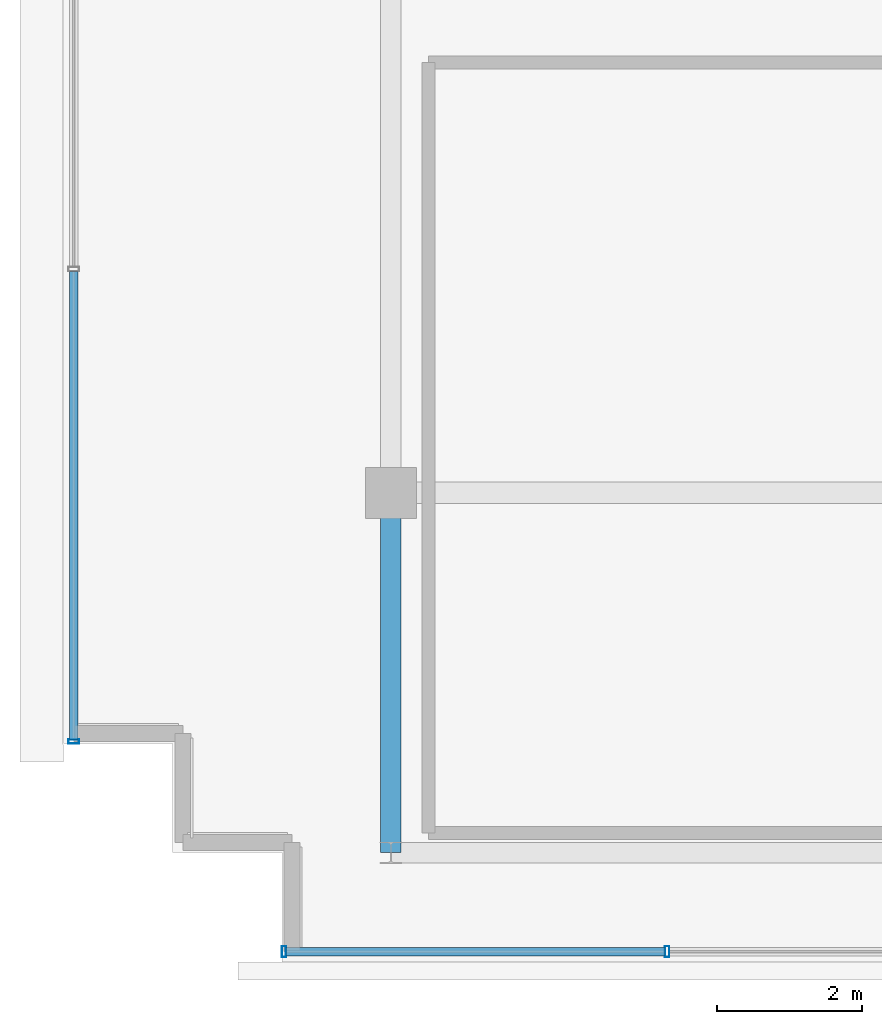
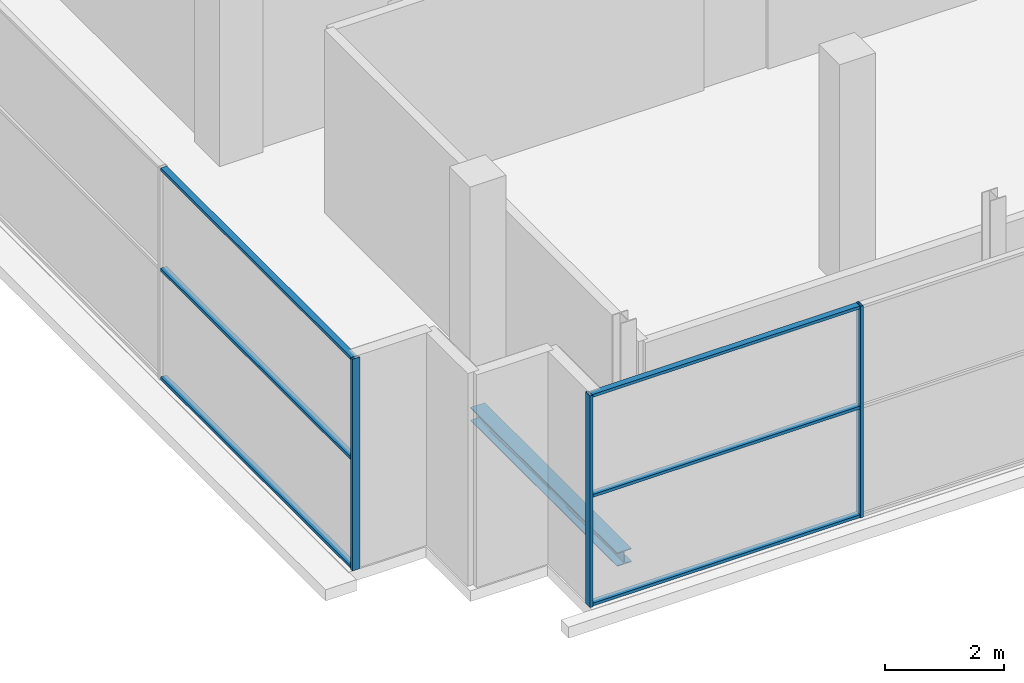
# One storey, part 2 of 26: 9 members, 1 beam, 2 elements without a shape of their own.
"""IFC4 building model written with IfcOpenShell, lengths in metres."""

import ifcopenshell
import ifcopenshell.guid

model = None  # the IFC model being written
_history = None  # IfcOwnerHistory: only IFC2X3 demands one
_inside = {}  # id of a spatial element -> (the spatial element, [elements in it])
_under = {}  # id of a project, library or spatial element -> (it, [spatial elements below it])
_declared = {}  # id of a project -> (the project, [libraries it declares])
_typed = {}  # id of a type object -> (the type object, [elements of that type])
_made_of = {}  # id of a material, layer set ... -> (it, [elements and type objects made of it])


def new_model(schema):
    """Start an empty IFC model of exactly this schema.

    Asked for "IFC4X3", IfcOpenShell would pick the latest addendum, in which some entities
    have other attributes; the version numbers below select the first issue.
    IFC2X3 requires an IfcOwnerHistory on every rooted entity: one is made here for all.
    """
    global model, _history
    if schema == "IFC4X3":
        model = ifcopenshell.file(schema_version=(4, 3, 0, 0))
    else:
        model = ifcopenshell.file(schema=schema)
    _inside.clear()
    _under.clear()
    _declared.clear()
    _typed.clear()
    _made_of.clear()
    _history = None
    if model.schema == "IFC2X3":
        org = make("IfcOrganization", Name="unknown")
        user = make(
            "IfcPersonAndOrganization",
            ThePerson=make("IfcPerson", FamilyName="unknown"),
            TheOrganization=org,
        )
        app = make(
            "IfcApplication",
            ApplicationDeveloper=org,
            Version="unknown",
            ApplicationFullName="unknown",
            ApplicationIdentifier="unknown",
        )
        _history = make(
            "IfcOwnerHistory",
            OwningUser=user,
            OwningApplication=app,
            ChangeAction="ADDED",
            CreationDate=0,
        )
    return model


def make(cls, **values):
    """One entity of the class cls with the attributes given. An attribute that is None is left unset."""
    return model.create_entity(
        cls, **{name: value for name, value in values.items() if value is not None}
    )


def rooted(cls, **values):
    """An entity with a GlobalId (a new one), such as an element, a storey or a relation."""
    return make(cls, GlobalId=ifcopenshell.guid.new(), OwnerHistory=_history, **values)


def si_unit(unit_type, name, prefix=None):
    """IfcSIUnit, for example si_unit("LENGTHUNIT", "METRE", prefix="MILLI")."""
    return make("IfcSIUnit", UnitType=unit_type, Prefix=prefix, Name=name)


def assignment(units):
    """IfcUnitAssignment: the units of a project."""
    return None if units is None else make("IfcUnitAssignment", Units=units)


def point(xyz):
    """IfcCartesianPoint."""
    return None if xyz is None else make("IfcCartesianPoint", Coordinates=xyz)


def direction(xyz):
    """IfcDirection."""
    return None if xyz is None else make("IfcDirection", DirectionRatios=xyz)


def frame(location, z_axis=None, x_axis=None):
    """IfcAxis2Placement3D, a coordinate frame: its origin and axes. An axis left out is left unset."""
    return make(
        "IfcAxis2Placement3D",
        Location=point(location),
        Axis=direction(z_axis),
        RefDirection=direction(x_axis),
    )


def frame_2d(location, x_axis=None):
    """IfcAxis2Placement2D, a coordinate frame in the plane: its origin and x axis."""
    return make(
        "IfcAxis2Placement2D", Location=point(location), RefDirection=direction(x_axis)
    )


def origin():
    """The frame at (0, 0, 0) with its axes left unset."""
    return frame((0.0, 0.0, 0.0))


def origin_2d():
    """The frame at (0, 0) in the plane with its x axis left unset."""
    return frame_2d((0.0, 0.0))


def place(relative_to, where):
    """IfcLocalPlacement: puts the frame where relative to a parent placement (None: the world)."""
    return make(
        "IfcLocalPlacement", PlacementRelTo=relative_to, RelativePlacement=where
    )


def context(
    kind, dimensions, precision=None, world=None, true_north=None, identifier=None
):
    """IfcGeometricRepresentationContext, for example the 3D "Model" context."""
    return make(
        "IfcGeometricRepresentationContext",
        ContextIdentifier=identifier,
        ContextType=kind,
        CoordinateSpaceDimension=dimensions,
        Precision=precision,
        WorldCoordinateSystem=world,
        TrueNorth=true_north,
    )


def subcontext(parent, identifier, kind, view, scale=None):
    """IfcGeometricRepresentationSubContext, for example "Body" below "Model"."""
    return make(
        "IfcGeometricRepresentationSubContext",
        ContextIdentifier=identifier,
        ContextType=kind,
        ParentContext=parent,
        TargetScale=scale,
        TargetView=view,
    )


def project(units=None, contexts=None):
    """IfcProject with its units and contexts."""
    return rooted(
        "IfcProject",
        Name="project",
        RepresentationContexts=contexts,
        UnitsInContext=assignment(units),
    )


def spatial(cls, under=None, at=None, **own):
    """A site, building, storey or space (cls), placed at a placement, below another one or the project."""
    s = rooted(cls, ObjectPlacement=at, **own)
    if under is not None:
        _under.setdefault(under.id(), (under, []))[1].append(s)
    return s


def profile(cls, at=None, kind="AREA", **sizes):
    """A parametric profile (cls). Its sizes go by their IFC names, for example OverallWidth=200.0."""
    return make(cls, ProfileType=kind, Position=at, **sizes)


def hollow_rectangle(**sizes):
    """IfcRectangleHollowProfileDef."""
    return profile("IfcRectangleHollowProfileDef", **sizes)


def i_section(**sizes):
    """IfcIShapeProfileDef."""
    return profile("IfcIShapeProfileDef", **sizes)


def extrude(swept, where, along, depth):
    """IfcExtrudedAreaSolid: the profile swept, set in the frame where, extruded along a direction by depth."""
    return make(
        "IfcExtrudedAreaSolid",
        SweptArea=swept,
        Position=where,
        ExtrudedDirection=direction(along),
        Depth=depth,
    )


def shape(context_of_items, identifier, shape_type, items):
    """IfcShapeRepresentation: the items that make up one representation, for example the "Body"."""
    return make(
        "IfcShapeRepresentation",
        ContextOfItems=context_of_items,
        RepresentationIdentifier=identifier,
        RepresentationType=shape_type,
        Items=items,
    )


def source(mapping_origin, context_of_items, identifier, shape_type, items):
    """IfcRepresentationMap: a shape defined once, which mapped items show again and again."""
    return make(
        "IfcRepresentationMap",
        MappingOrigin=mapping_origin,
        MappedRepresentation=shape(context_of_items, identifier, shape_type, items),
    )


def transform(
    local_origin,
    x_axis=None,
    y_axis=None,
    z_axis=None,
    scale=None,
    scale2=None,
    scale3=None,
    uniform=True,
):
    """IfcCartesianTransformationOperator3D, or its non-uniform kind. x_axis, y_axis, z_axis: its Axis1, 2, 3."""
    if uniform:
        return make(
            "IfcCartesianTransformationOperator3D",
            Axis1=direction(x_axis),
            Axis2=direction(y_axis),
            LocalOrigin=point(local_origin),
            Scale=scale,
            Axis3=direction(z_axis),
        )
    return make(
        "IfcCartesianTransformationOperator3DnonUniform",
        Axis1=direction(x_axis),
        Axis2=direction(y_axis),
        LocalOrigin=point(local_origin),
        Scale=scale,
        Axis3=direction(z_axis),
        Scale2=scale2,
        Scale3=scale3,
    )


def mapped(mapping_source, mapping_target):
    """IfcMappedItem: shows the shape of a source again, moved by a transform."""
    return make(
        "IfcMappedItem", MappingSource=mapping_source, MappingTarget=mapping_target
    )


def material(Name=None, Category=None):
    """IfcMaterial."""
    return make("IfcMaterial", Name=Name, Category=Category)


def layer(
    of_material, thickness, ventilated=None, Name=None, Category=None, Priority=None
):
    """IfcMaterialLayer: one layer of a wall or slab, of a material (None: an air gap)."""
    return make(
        "IfcMaterialLayer",
        Material=of_material,
        LayerThickness=thickness,
        IsVentilated=ventilated,
        Name=Name,
        Category=Category,
        Priority=Priority,
    )


def layer_set(layers, Name=None):
    """IfcMaterialLayerSet."""
    return make("IfcMaterialLayerSet", MaterialLayers=layers, LayerSetName=Name)


def material_profile(
    of_material, cross_section, Name=None, Category=None, Priority=None
):
    """IfcMaterialProfile: a cross section and its material."""
    return make(
        "IfcMaterialProfile",
        Name=Name,
        Material=of_material,
        Profile=cross_section,
        Priority=Priority,
        Category=Category,
    )


def profile_set(profiles, Name=None, composite=None):
    """IfcMaterialProfileSet."""
    return make(
        "IfcMaterialProfileSet",
        Name=Name,
        MaterialProfiles=profiles,
        CompositeProfile=composite,
    )


def made_of(thing, what):
    """Note that an element or type object is made of a material, layer set ...; save() writes the relation."""
    if what is not None:
        _made_of.setdefault(what.id(), (what, []))[1].append(thing)
    return thing


def type_object(cls, material=None, **own):
    """A type object (cls), such as IfcWallType, which elements share."""
    return made_of(rooted(cls, **own), material)


def element(
    cls,
    number,
    at=None,
    inside=None,
    cuts=None,
    type_object=None,
    material=None,
    context=None,
    identifier="Body",
    shape_type=None,
    held_by="IfcProductDefinitionShape",
    body=None,
    shapes=None,
    **own,
):
    """One element of the class cls, such as IfcWall. Its Tag is "e" and its number.

    at: its placement. inside: the storey or other place that contains it. cuts: it is an
    opening in that element (IfcRelVoidsElement). A single representation is given by context,
    identifier, shape_type and body (its items); several are given by shapes. held_by: the class
    of the entity that holds the representations. save() writes the other relations.
    """
    e = rooted(cls, Tag="e%d" % number, ObjectPlacement=at, **own)
    if body is not None:
        shapes = [shape(context, identifier, shape_type, body)]
    if shapes is not None:
        e.Representation = make(held_by, Representations=shapes)
    if inside is not None:
        _inside.setdefault(inside.id(), (inside, []))[1].append(e)
    if cuts is not None:
        rooted(
            "IfcRelVoidsElement", RelatingBuildingElement=cuts, RelatedOpeningElement=e
        )
    if type_object is not None:
        _typed.setdefault(type_object.id(), (type_object, []))[1].append(e)
    return made_of(e, material)


def aggregate(whole, parts):
    """IfcRelAggregates: a whole, such as a stair, and the parts it consists of."""
    return rooted("IfcRelAggregates", RelatingObject=whole, RelatedObjects=parts)


def save(model, path):
    """Write the relations noted so far, then the file.

    IfcRelAggregates (storeys below a building ...), IfcRelContainedInSpatialStructure (elements
    in a storey), IfcRelDefinesByType, IfcRelAssociatesMaterial and IfcRelDeclares: one each for
    every whole, place, type object, material and project.
    """
    for whole, parts in _under.values():
        aggregate(whole, parts)
    for where, things in _inside.values():
        rooted(
            "IfcRelContainedInSpatialStructure",
            RelatedElements=things,
            RelatingStructure=where,
        )
    for kind, things in _typed.values():
        rooted("IfcRelDefinesByType", RelatedObjects=things, RelatingType=kind)
    for what, things in _made_of.values():
        rooted("IfcRelAssociatesMaterial", RelatedObjects=things, RelatingMaterial=what)
    for by, libraries in _declared.values():
        rooted("IfcRelDeclares", RelatingContext=by, RelatedDefinitions=libraries)
    model.write(path)


model = new_model("IFC4")

# Units and contexts
model_context = context("Model", 3, precision=1e-05, world=origin(), true_north=direction((0.0, 1.0)))
body_context = subcontext(model_context, "Body", "Model", "MODEL_VIEW")
ifc_project = project(units=[si_unit("LENGTHUNIT", "METRE"), si_unit("AREAUNIT", "SQUARE_METRE"), si_unit("VOLUMEUNIT", "CUBIC_METRE"), si_unit("PLANEANGLEUNIT", "RADIAN"), si_unit("MASSUNIT", "GRAM", prefix="KILO")], contexts=[model_context])

# Site, building, storey
site_placement = place(None, origin())
site = spatial("IfcSite", under=ifc_project, at=site_placement, CompositionType="ELEMENT")
building_placement = place(site_placement, origin())
building = spatial("IfcBuilding", under=site, at=building_placement, Name="Zarnakvel Exchange Tower", CompositionType="ELEMENT")
storey_placement = place(building_placement, frame((0.0, 0.0, 285.39990234375)))
storey = spatial("IfcBuildingStorey", under=building, at=storey_placement, Name="Crown L80", CompositionType="ELEMENT", Elevation=285.39990234375)

# Beam
ifc_material_1 = material(Name="Steel S355", Category="steel")
ifc_material_profile_1 = material_profile(ifc_material_1, i_section(OverallWidth=0.280029296875, OverallDepth=0.280029296875, WebThickness=0.010498046875, FlangeThickness=0.01806640625, FilletRadius=0.02392578125, at=origin_2d()))
ifc_profile_set_1 = profile_set([ifc_material_profile_1], Name="Steel S355")
beam_type = type_object("IfcBeamType", Name="SP-04", PredefinedType="SPANDREL", material=ifc_profile_set_1)
beam_placement = place(storey_placement, frame((-14.39990234375, -14.550048828125, -0.35986328125), z_axis=(0.0, 1.0, 0.0), x_axis=(-1.0, 0.0, 0.0)))
element("IfcBeam", 1, at=beam_placement, inside=storey, type_object=beam_type, Name="Crown L80 Tower N-S Frame Beam", PredefinedType="SPANDREL", context=body_context, shape_type="SweptSolid", body=[
    extrude(i_section(OverallWidth=0.280029296875, OverallDepth=0.280029296875, WebThickness=0.010498046875, FlangeThickness=0.01806640625, FilletRadius=0.02392578125, at=origin_2d()), origin(), (0.0, 0.0, 1.0), 4.949951171875),
])

# Curtain wall, members
ifc_material_2 = material(Name="Architectural Bronze Anodised Aluminium", Category="aluminium")
ifc_layer = layer(ifc_material_2, 0.14990234375)
ifc_layer_set = layer_set([ifc_layer], Name="Architectural Bronze Anodised Aluminium")
curtain_wall_type = type_object("IfcCurtainWallType", Name="CW-07", PredefinedType="NOTDEFINED", material=ifc_layer_set)
curtain_wall_1_placement = place(storey_placement, origin())
curtain_wall_1 = element("IfcCurtainWall", 2, at=curtain_wall_1_placement, inside=storey, type_object=curtain_wall_type, Name="Crown L80 Curtain Wall CW-Crown L80-S (CW-07)", PredefinedType="NOTDEFINED")
ifc_material_profile_2 = material_profile(ifc_material_2, hollow_rectangle(XDim=0.14990234375, YDim=0.06005859375, WallThickness=0.00390625, at=origin_2d()))
ifc_profile_set_2 = profile_set([ifc_material_profile_2], Name="Architectural Bronze Anodised Aluminium")
member_type_1 = type_object("IfcMemberType", Name="CWM-07", PredefinedType="MULLION", material=ifc_profile_set_2)
shared_shape_1 = source(origin(), body_context, "Body", "SweptSolid", [
    extrude(hollow_rectangle(XDim=0.14990234375, YDim=0.06005859375, WallThickness=0.00390625, at=origin_2d()), origin(), (0.0, 0.0, 1.0), 4.360107421875),
])
member_1_placement = place(storey_placement, frame((-15.8701171875, -15.909912109375, 0.0), z_axis=(0.0, 0.0, 1.0), x_axis=(0.0, 1.0, 0.0)))
member_1 = element("IfcMember", 3, at=member_1_placement, type_object=member_type_1, Name="CW-07 mullion 1", PredefinedType="MULLION", context=body_context, shape_type="MappedRepresentation", body=[
    mapped(shared_shape_1, transform((0.0, 0.0, 0.0), x_axis=(1.0, 0.0, 0.0), y_axis=(0.0, 1.0, 0.0), z_axis=(0.0, 0.0, 1.0), scale=1.0)),
])
member_2_placement = place(storey_placement, frame((-10.60009765625, -15.909912109375, 0.0), z_axis=(0.0, 0.0, 1.0), x_axis=(0.0, 1.0, 0.0)))
member_2 = element("IfcMember", 4, at=member_2_placement, type_object=member_type_1, Name="CW-07 mullion 2", PredefinedType="MULLION", context=body_context, shape_type="MappedRepresentation", body=[
    mapped(shared_shape_1, transform((0.0, 0.0, 0.0), x_axis=(1.0, 0.0, 0.0), y_axis=(0.0, 1.0, 0.0), z_axis=(0.0, 0.0, 1.0), scale=1.0)),
])

# Curtain wall, member
curtain_wall_2_placement = place(storey_placement, origin())
curtain_wall_2 = element("IfcCurtainWall", 5, at=curtain_wall_2_placement, inside=storey, type_object=curtain_wall_type, Name="Crown L80 Curtain Wall CW-Crown L80-W (CW-07)", PredefinedType="NOTDEFINED")
member_3_placement = place(storey_placement, frame((-18.760009765625, -13.02001953125, 0.0), z_axis=(0.0, 0.0, 1.0), x_axis=(-1.0, 0.0, 0.0)))
member_3 = element("IfcMember", 6, at=member_3_placement, type_object=member_type_1, Name="CW-07 mullion 1", PredefinedType="MULLION", context=body_context, shape_type="MappedRepresentation", body=[
    mapped(shared_shape_1, transform((0.0, 0.0, 0.0), x_axis=(1.0, 0.0, 0.0), y_axis=(0.0, 1.0, 0.0), z_axis=(0.0, 0.0, 1.0), scale=1.0)),
])

# Member
ifc_material_profile_3 = material_profile(ifc_material_2, hollow_rectangle(XDim=0.1201171875, YDim=0.06005859375, WallThickness=0.00390625, at=origin_2d()))
ifc_profile_set_3 = profile_set([ifc_material_profile_3], Name="Architectural Bronze Anodised Aluminium")
member_type_2 = type_object("IfcMemberType", Name="CWT-07", PredefinedType="USERDEFINED", material=ifc_profile_set_3)
shared_shape_2 = source(origin(), body_context, "Body", "SweptSolid", [
    extrude(hollow_rectangle(XDim=0.1201171875, YDim=0.06005859375, WallThickness=0.00390625, at=origin_2d()), origin(), (0.0, 0.0, 1.0), 5.210205078125),
])
member_4_placement = place(storey_placement, frame((-15.840087890625, -15.909912109375, 0.030029296875), z_axis=(1.0, 0.0, 0.0), x_axis=(0.0, 1.0, 0.0)))
member_4 = element("IfcMember", 7, at=member_4_placement, type_object=member_type_2, Name="CW-07 transom 1.1", ObjectType="TRANSOM", PredefinedType="USERDEFINED", context=body_context, shape_type="MappedRepresentation", body=[
    mapped(shared_shape_2, transform((0.0, 0.0, 0.0), x_axis=(1.0, 0.0, 0.0), y_axis=(0.0, 1.0, 0.0), z_axis=(0.0, 0.0, 1.0), scale=1.0)),
])

member_5_placement = place(storey_placement, frame((-15.840087890625, -15.909912109375, 2.267333984375), z_axis=(1.0, 0.0, 0.0), x_axis=(0.0, 1.0, 0.0)))
member_5 = element("IfcMember", 8, at=member_5_placement, type_object=member_type_2, Name="CW-07 transom 1.2", ObjectType="TRANSOM", PredefinedType="USERDEFINED", context=body_context, shape_type="MappedRepresentation", body=[
    mapped(shared_shape_2, transform((0.0, 0.0, 0.0), x_axis=(1.0, 0.0, 0.0), y_axis=(0.0, 1.0, 0.0), z_axis=(0.0, 0.0, 1.0), scale=1.0)),
])

member_6_placement = place(storey_placement, frame((-15.840087890625, -15.909912109375, 4.330078125), z_axis=(1.0, 0.0, 0.0), x_axis=(0.0, 1.0, 0.0)))
member_6 = element("IfcMember", 9, at=member_6_placement, type_object=member_type_2, Name="CW-07 transom 1.3", ObjectType="TRANSOM", PredefinedType="USERDEFINED", context=body_context, shape_type="MappedRepresentation", body=[
    mapped(shared_shape_2, transform((0.0, 0.0, 0.0), x_axis=(1.0, 0.0, 0.0), y_axis=(0.0, 1.0, 0.0), z_axis=(0.0, 0.0, 1.0), scale=1.0)),
])

aggregate(curtain_wall_1, [member_1, member_2, member_4, member_5, member_6])

shared_shape_3 = source(origin(), body_context, "Body", "SweptSolid", [
    extrude(hollow_rectangle(XDim=0.1201171875, YDim=0.06005859375, WallThickness=0.00390625, at=origin_2d()), origin(), (0.0, 0.0, 1.0), 6.43505859375),
])
member_7_placement = place(storey_placement, frame((-18.760009765625, -12.989990234375, 0.030029296875), z_axis=(0.0, 1.0, 0.0), x_axis=(-1.0, 0.0, 0.0)))
member_7 = element("IfcMember", 10, at=member_7_placement, type_object=member_type_2, Name="CW-07 transom 1.1", ObjectType="TRANSOM", PredefinedType="USERDEFINED", context=body_context, shape_type="MappedRepresentation", body=[
    mapped(shared_shape_3, transform((0.0, 0.0, 0.0), x_axis=(1.0, 0.0, 0.0), y_axis=(0.0, 1.0, 0.0), z_axis=(0.0, 0.0, 1.0), scale=1.0)),
])

member_8_placement = place(storey_placement, frame((-18.760009765625, -12.989990234375, 2.267333984375), z_axis=(0.0, 1.0, 0.0), x_axis=(-1.0, 0.0, 0.0)))
member_8 = element("IfcMember", 11, at=member_8_placement, type_object=member_type_2, Name="CW-07 transom 1.2", ObjectType="TRANSOM", PredefinedType="USERDEFINED", context=body_context, shape_type="MappedRepresentation", body=[
    mapped(shared_shape_3, transform((0.0, 0.0, 0.0), x_axis=(1.0, 0.0, 0.0), y_axis=(0.0, 1.0, 0.0), z_axis=(0.0, 0.0, 1.0), scale=1.0)),
])

member_9_placement = place(storey_placement, frame((-18.760009765625, -12.989990234375, 4.330078125), z_axis=(0.0, 1.0, 0.0), x_axis=(-1.0, 0.0, 0.0)))
member_9 = element("IfcMember", 12, at=member_9_placement, type_object=member_type_2, Name="CW-07 transom 1.3", ObjectType="TRANSOM", PredefinedType="USERDEFINED", context=body_context, shape_type="MappedRepresentation", body=[
    mapped(shared_shape_3, transform((0.0, 0.0, 0.0), x_axis=(1.0, 0.0, 0.0), y_axis=(0.0, 1.0, 0.0), z_axis=(0.0, 0.0, 1.0), scale=1.0)),
])

aggregate(curtain_wall_2, [member_3, member_7, member_8, member_9])

save(model, "model.ifc")
